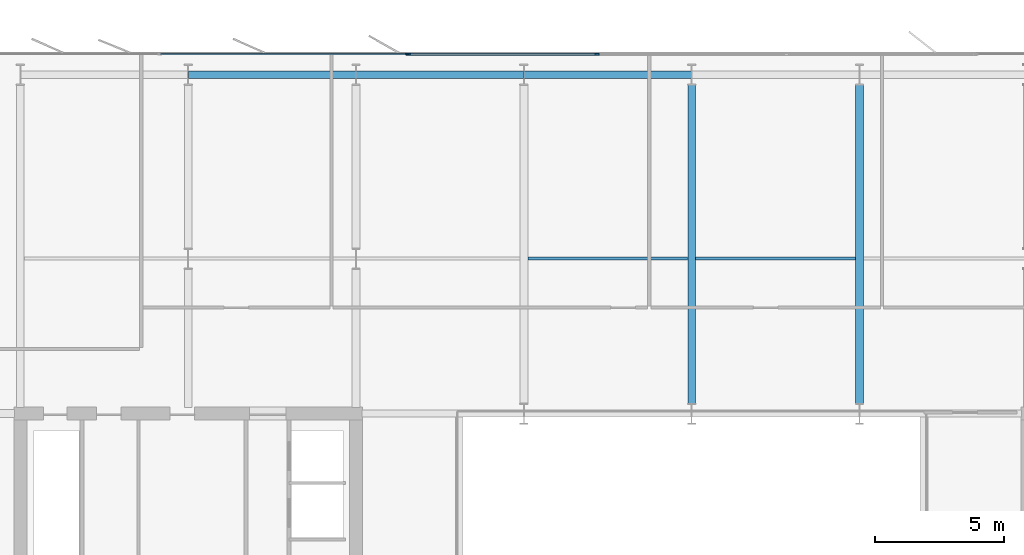
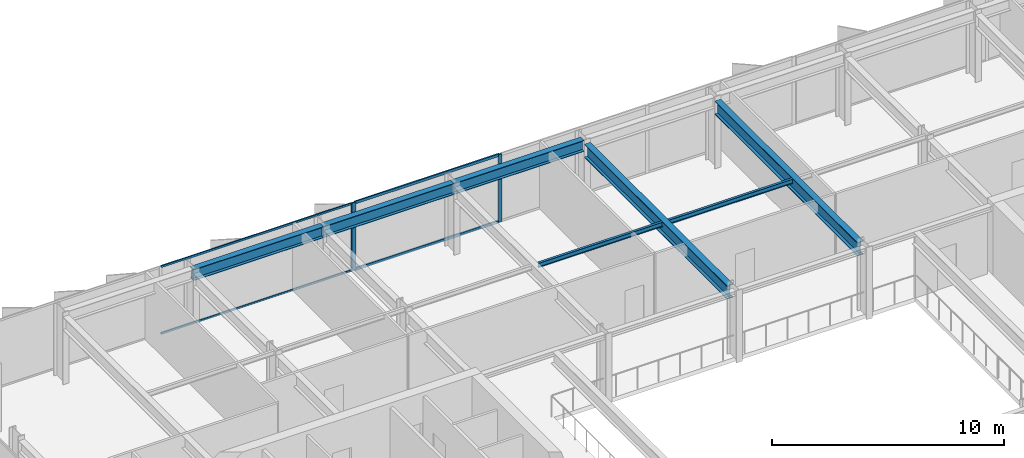
# One storey, part 11 of 24: 7 beams, 7 members, 2 elements without a shape of their own.
"""IFC4 building model written with IfcOpenShell, lengths in metres."""

from ifc_helpers import new_model, si_unit, direction, frame, origin, origin_2d, place, context, subcontext, project, spatial, rectangle, i_section, extrude, material, layer, layer_set, material_profile, profile_set, type_object, element, aggregate, save


model = new_model("IFC4")

# Units and contexts
model_context = context("Model", 3, precision=1e-05, world=origin(), true_north=direction((0.0, 1.0)))
body_context = subcontext(model_context, "Body", "Model", "MODEL_VIEW")
ifc_project = project(units=[si_unit("LENGTHUNIT", "METRE"), si_unit("AREAUNIT", "SQUARE_METRE"), si_unit("VOLUMEUNIT", "CUBIC_METRE"), si_unit("PLANEANGLEUNIT", "RADIAN"), si_unit("MASSUNIT", "GRAM", prefix="KILO")], contexts=[model_context])

# Site, building, storey
site_placement = place(None, origin())
site = spatial("IfcSite", under=ifc_project, at=site_placement, CompositionType="ELEMENT")
building_placement = place(site_placement, origin())
building = spatial("IfcBuilding", under=site, at=building_placement, Name="Putna Gate Headquarters", CompositionType="ELEMENT")
storey_placement = place(building_placement, frame((0.0, 0.0, 240.39990234375)))
storey = spatial("IfcBuildingStorey", under=building, at=storey_placement, Name="L60", CompositionType="ELEMENT", Elevation=240.39990234375)

# Beams
ifc_material_1 = material(Name="Steel S355J2", Category="steel")
ifc_material_profile_1 = material_profile(ifc_material_1, i_section(OverallWidth=0.300048828125, OverallDepth=0.699951171875, WebThickness=0.01708984375, FlangeThickness=0.031982421875, at=origin_2d()), Name="Steel S355J2")
ifc_profile_set_1 = profile_set([ifc_material_profile_1], Name="Steel S355J2")
beam_type_1 = type_object("IfcBeamType", Name="BM-GIRD-B-HEB700", PredefinedType="USERDEFINED", material=ifc_profile_set_1)
for number, where, z_axis, x_axis, name in (
    (1, (39.0, 33.39501953125, 3.22998046875), (0.0, 1.0, 0.0), (-1.0, 0.0, 0.0), "L60 North Primary Girder X39"),
    (2, (45.5, 33.39501953125, 3.22998046875), (0.0, 1.0, 0.0), (-1.0, 0.0, 0.0), "L60 North Primary Girder X45"),
):
    element("IfcBeam", number, at=place(storey_placement, frame(where, z_axis=z_axis, x_axis=x_axis)), inside=storey, type_object=beam_type_1, Name=name, ObjectType="GIRDER", PredefinedType="USERDEFINED", context=body_context, shape_type="SweptSolid", body=[
        extrude(i_section(OverallWidth=0.300048828125, OverallDepth=0.699951171875, WebThickness=0.01708984375, FlangeThickness=0.031982421875, at=origin_2d()), origin(), (0.0, 0.0, 1.0), 12.330078125),
    ])
ifc_material_profile_2 = material_profile(ifc_material_1, i_section(OverallWidth=0.1201171875, OverallDepth=0.239990234375, WebThickness=0.006103515625, FlangeThickness=0.009765625, at=origin_2d()), Name="Steel S355J2")
ifc_profile_set_2 = profile_set([ifc_material_profile_2], Name="Steel S355J2")
beam_type_2 = type_object("IfcBeamType", Name="BM-SEC-Z4-IPE240", PredefinedType="JOIST", material=ifc_profile_set_2)
for number, where, z_axis, x_axis, name in (
    (3, (32.654052734375, 39.0, 3.460205078125), (1.0, 0.0, 0.0), (0.0, 1.0, 0.0), "L60 North Secondary Beam 4"),
    (4, (39.154052734375, 39.0, 3.460205078125), (1.0, 0.0, 0.0), (0.0, 1.0, 0.0), "L60 North Secondary Beam 5"),
):
    element("IfcBeam", number, at=place(storey_placement, frame(where, z_axis=z_axis, x_axis=x_axis)), inside=storey, type_object=beam_type_2, Name=name, PredefinedType="JOIST", context=body_context, shape_type="SweptSolid", body=[
        extrude(i_section(OverallWidth=0.1201171875, OverallDepth=0.239990234375, WebThickness=0.006103515625, FlangeThickness=0.009765625, at=origin_2d()), origin(), (0.0, 0.0, 1.0), 6.19189453125),
    ])
ifc_material_profile_3 = material_profile(ifc_material_1, i_section(OverallWidth=0.300048828125, OverallDepth=0.590087890625, WebThickness=0.012939453125, FlangeThickness=0.02490234375, at=origin_2d()), Name="Steel S355J2")
ifc_profile_set_3 = profile_set([ifc_material_profile_3], Name="Steel S355J2")
beam_type_3 = type_object("IfcBeamType", Name="BM-SPAN-Z4-HEA600", PredefinedType="SPANDREL", material=ifc_profile_set_3)
for number, where, z_axis, x_axis, name in (
    (5, (19.506103515625, 46.1201171875, 3.28515625), (1.0, 0.0, 0.0), (0.0, 1.0, 0.0), "L60 N Perimeter Spandrel 2"),
    (6, (26.006103515625, 46.1201171875, 3.28515625), (1.0, 0.0, 0.0), (0.0, 1.0, 0.0), "L60 N Perimeter Spandrel 3"),
    (7, (32.506103515625, 46.1201171875, 3.28515625), (1.0, 0.0, 0.0), (0.0, 1.0, 0.0), "L60 N Perimeter Spandrel 4"),
):
    element("IfcBeam", number, at=place(storey_placement, frame(where, z_axis=z_axis, x_axis=x_axis)), inside=storey, type_object=beam_type_3, Name=name, PredefinedType="SPANDREL", context=body_context, shape_type="SweptSolid", body=[
        extrude(i_section(OverallWidth=0.300048828125, OverallDepth=0.590087890625, WebThickness=0.012939453125, FlangeThickness=0.02490234375, at=origin_2d()), origin(), (0.0, 0.0, 1.0), 6.48779296875),
    ])

# Curtain wall, member
ifc_material_2 = material(Name="Anodised bronze aluminium curtain wall", Category="aluminium")
ifc_layer_1 = layer(ifc_material_2, 0.139892578125)
ifc_layer_set_1 = layer_set([ifc_layer_1], Name="Anodised bronze aluminium curtain wall")
curtain_wall_type_1 = type_object("IfcCurtainWallType", Name="CW-SYS-Z4", PredefinedType="USERDEFINED", material=ifc_layer_set_1)
curtain_wall_1_placement = place(storey_placement, origin())
curtain_wall_1 = element("IfcCurtainWall", 8, at=curtain_wall_1_placement, inside=storey, type_object=curtain_wall_type_1, Name="L60 North West Curtain Wall", ObjectType="STICK CURTAIN WALL", PredefinedType="USERDEFINED")
ifc_material_3 = material(Name="Anodised bronze aluminium EN AW-6060", Category="aluminium")
ifc_material_profile_4 = material_profile(ifc_material_3, rectangle(XDim=0.06005859375, YDim=0.139892578125, at=origin_2d()), Name="Anodised bronze aluminium EN AW-6060")
ifc_profile_set_4 = profile_set([ifc_material_profile_4], Name="Anodised bronze aluminium EN AW-6060")
member_type_1 = type_object("IfcMemberType", Name="MULL-CWM-4", PredefinedType="MULLION", material=ifc_profile_set_4)
member_1_placement = place(storey_placement, frame((27.969970703125, 46.919921875, 0.0), z_axis=(0.0, 0.0, 1.0), x_axis=(0.0, 1.0, 0.0)))
member_1 = element("IfcMember", 9, at=member_1_placement, type_object=member_type_1, Name="CWS-4 mullion 3", PredefinedType="MULLION", context=body_context, shape_type="SweptSolid", body=[
    extrude(rectangle(XDim=0.06005859375, YDim=0.139892578125, at=origin_2d()), origin(), (0.0, 0.0, 1.0), 3.580078125),
])

# Curtain wall, members
ifc_layer_2 = layer(ifc_material_2, 0.179931640625)
ifc_layer_set_2 = layer_set([ifc_layer_2], Name="Anodised bronze aluminium curtain wall")
curtain_wall_type_2 = type_object("IfcCurtainWallType", Name="CW-SYS-ATR", PredefinedType="USERDEFINED", material=ifc_layer_set_2)
curtain_wall_2_placement = place(storey_placement, origin())
curtain_wall_2 = element("IfcCurtainWall", 10, at=curtain_wall_2_placement, inside=storey, type_object=curtain_wall_type_2, Name="L60 North Atrium Clear Glazing", ObjectType="ATRIUM GLAZING", PredefinedType="USERDEFINED")
ifc_material_profile_5 = material_profile(ifc_material_3, rectangle(XDim=0.070068359375, YDim=0.179931640625, at=origin_2d()), Name="Anodised bronze aluminium EN AW-6060")
ifc_profile_set_5 = profile_set([ifc_material_profile_5], Name="Anodised bronze aluminium EN AW-6060")
member_type_2 = type_object("IfcMemberType", Name="MULL-CWM-AT", PredefinedType="MULLION", material=ifc_profile_set_5)
member_2_placement = place(storey_placement, frame((28.034912109375, 46.919921875, 0.0), z_axis=(0.0, 0.0, 1.0), x_axis=(0.0, 1.0, 0.0)))
member_2 = element("IfcMember", 11, at=member_2_placement, type_object=member_type_2, Name="CWS-AT mullion 1", PredefinedType="MULLION", context=body_context, shape_type="SweptSolid", body=[
    extrude(rectangle(XDim=0.070068359375, YDim=0.179931640625, at=origin_2d()), origin(), (0.0, 0.0, 1.0), 3.580078125),
])
member_3_placement = place(storey_placement, frame((35.333251953125, 46.919921875, 0.0), z_axis=(0.0, 0.0, 1.0), x_axis=(0.0, 1.0, 0.0)))
member_3 = element("IfcMember", 12, at=member_3_placement, type_object=member_type_2, Name="CWS-AT mullion 2", PredefinedType="MULLION", context=body_context, shape_type="SweptSolid", body=[
    extrude(rectangle(XDim=0.070068359375, YDim=0.179931640625, at=origin_2d()), origin(), (0.0, 0.0, 1.0), 3.580078125),
])

# Member
ifc_material_profile_6 = material_profile(ifc_material_3, rectangle(XDim=0.06005859375, YDim=0.10009765625, at=origin_2d()), Name="Anodised bronze aluminium EN AW-6060")
ifc_profile_set_6 = profile_set([ifc_material_profile_6], Name="Anodised bronze aluminium EN AW-6060")
member_type_3 = type_object("IfcMemberType", Name="TRAN-CWT-4", PredefinedType="USERDEFINED", material=ifc_profile_set_6)
member_4_placement = place(storey_placement, frame((18.429931640625, 46.919921875, 0.030029296875), z_axis=(1.0, 0.0, 0.0), x_axis=(0.0, 1.0, 0.0)))
member_4 = element("IfcMember", 13, at=member_4_placement, type_object=member_type_3, Name="CWS-4 transom 2.1", ObjectType="TRANSOM", PredefinedType="USERDEFINED", context=body_context, shape_type="SweptSolid", body=[
    extrude(rectangle(XDim=0.06005859375, YDim=0.10009765625, at=origin_2d()), origin(), (0.0, 0.0, 1.0), 9.510009765625),
])

member_5_placement = place(storey_placement, frame((18.429931640625, 46.919921875, 3.550048828125), z_axis=(1.0, 0.0, 0.0), x_axis=(0.0, 1.0, 0.0)))
member_5 = element("IfcMember", 14, at=member_5_placement, type_object=member_type_3, Name="CWS-4 transom 2.2", ObjectType="TRANSOM", PredefinedType="USERDEFINED", context=body_context, shape_type="SweptSolid", body=[
    extrude(rectangle(XDim=0.06005859375, YDim=0.10009765625, at=origin_2d()), origin(), (0.0, 0.0, 1.0), 9.510009765625),
])

aggregate(curtain_wall_1, [member_1, member_4, member_5])

ifc_material_profile_7 = material_profile(ifc_material_3, rectangle(XDim=0.070068359375, YDim=0.139892578125, at=origin_2d()), Name="Anodised bronze aluminium EN AW-6060")
ifc_profile_set_7 = profile_set([ifc_material_profile_7], Name="Anodised bronze aluminium EN AW-6060")
member_type_4 = type_object("IfcMemberType", Name="TRAN-CWT-AT", PredefinedType="USERDEFINED", material=ifc_profile_set_7)
member_6_placement = place(storey_placement, frame((28.070068359375, 46.919921875, 0.03515625), z_axis=(1.0, 0.0, 0.0), x_axis=(0.0, 1.0, 0.0)))
member_6 = element("IfcMember", 15, at=member_6_placement, type_object=member_type_4, Name="CWS-AT transom 1.1", ObjectType="TRANSOM", PredefinedType="USERDEFINED", context=body_context, shape_type="SweptSolid", body=[
    extrude(rectangle(XDim=0.070068359375, YDim=0.139892578125, at=origin_2d()), origin(), (0.0, 0.0, 1.0), 7.228271484375),
])

member_7_placement = place(storey_placement, frame((28.070068359375, 46.919921875, 3.545166015625), z_axis=(1.0, 0.0, 0.0), x_axis=(0.0, 1.0, 0.0)))
member_7 = element("IfcMember", 16, at=member_7_placement, type_object=member_type_4, Name="CWS-AT transom 1.2", ObjectType="TRANSOM", PredefinedType="USERDEFINED", context=body_context, shape_type="SweptSolid", body=[
    extrude(rectangle(XDim=0.070068359375, YDim=0.139892578125, at=origin_2d()), origin(), (0.0, 0.0, 1.0), 7.228271484375),
])

aggregate(curtain_wall_2, [member_2, member_3, member_6, member_7])

save(model, "model.ifc")
